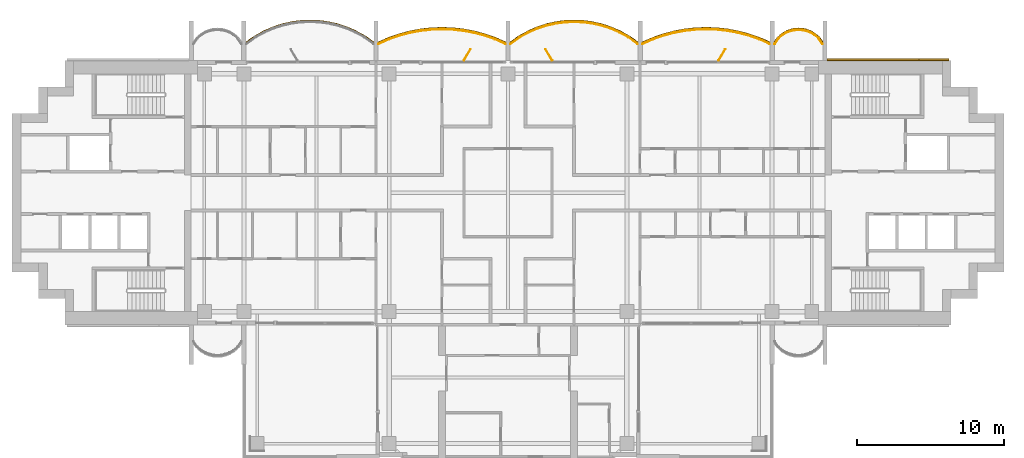
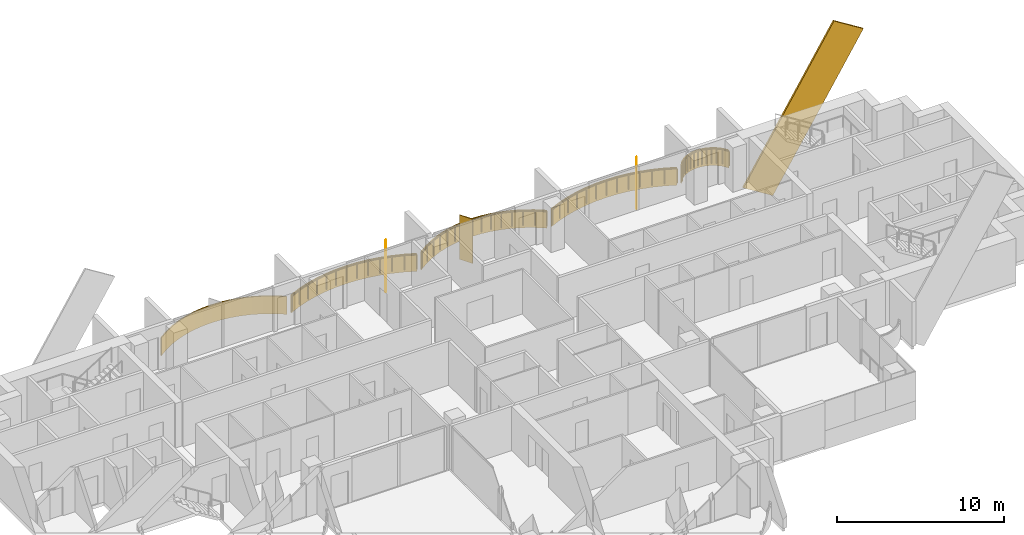
# One storey, part 17 of 17: 6 coverings, 4 railings, 3 shading devices.
"""IFC4 building model written with IfcOpenShell, lengths in metres."""

from ifc_helpers import new_model, si_unit, direction, frame, origin, origin_2d, place, context, subcontext, project, spatial, polyline, rectangle, outline, extrude, material, layer, layer_set, material_profile, profile_set, type_object, element, save


model = new_model("IFC4")

# Units and contexts
model_context = context("Model", 3, precision=1e-05, world=origin(), true_north=direction((0.0, 1.0)))
body_context = subcontext(model_context, "Body", "Model", "MODEL_VIEW")
ifc_project = project(units=[si_unit("LENGTHUNIT", "METRE"), si_unit("AREAUNIT", "SQUARE_METRE"), si_unit("VOLUMEUNIT", "CUBIC_METRE"), si_unit("PLANEANGLEUNIT", "RADIAN"), si_unit("MASSUNIT", "GRAM", prefix="KILO")], contexts=[model_context])

# Site, building, storey
site_placement = place(None, origin())
site = spatial("IfcSite", under=ifc_project, at=site_placement, CompositionType="ELEMENT")
building_placement = place(site_placement, origin())
building = spatial("IfcBuilding", under=site, at=building_placement, Name="Perihelion Cross Residences", CompositionType="ELEMENT")
storey_placement = place(building_placement, frame((0.0, 0.0, 187.60009765625)))
storey = spatial("IfcBuildingStorey", under=building, at=storey_placement, Name="L46", CompositionType="ELEMENT", Elevation=187.60009765625)

# Coverings
ifc_material_1 = material(Name="Bronze anodised aluminium", Category="aluminium")
ifc_layer_1 = layer(ifc_material_1, 0.070068359375)
ifc_layer_set_1 = layer_set([ifc_layer_1], Name="Balcony fascia 1300")
covering_type_1 = type_object("IfcCoveringType", Name="Balcony fascia 1300", PredefinedType="CLADDING", material=ifc_layer_set_1)
covering_1_placement = place(storey_placement, frame((0.0, 0.0, -0.2001953125)))
element("IfcCovering", 1, at=covering_1_placement, inside=storey, type_object=covering_type_1, Name="Fascia BF1 L46 east side north bay 1", PredefinedType="CLADDING", context=body_context, shape_type="SweptSolid", body=[
    extrude(outline(polyline([(21.226318359375, 10.616455078125), (20.94091796875, 10.86328125), (20.655517578125, 11.031494140625), (20.370361328125, 11.142578125), (20.085205078125, 11.206298828125), (19.800048828125, 11.22705078125), (19.514892578125, 11.206298828125), (19.229736328125, 11.142578125), (18.9443359375, 11.031494140625), (18.6591796875, 10.86328125), (18.373779296875, 10.616455078125), (18.14990234375, 10.31689453125), (18.14990234375, 10.199951171875), (18.425048828125, 10.568603515625), (18.699951171875, 10.806396484375), (18.97509765625, 10.96875), (19.25, 11.07568359375), (19.52490234375, 11.136962890625), (19.800048828125, 11.156982421875), (20.074951171875, 11.136962890625), (20.35009765625, 11.07568359375), (20.625, 10.96875), (20.89990234375, 10.806396484375), (21.175048828125, 10.568603515625), (21.449951171875, 10.199951171875), (21.449951171875, 10.31689453125), (21.226318359375, 10.616455078125)])), origin(), (0.0, 0.0, 1.0), 1.300048828125),
])
covering_2_placement = place(storey_placement, frame((0.0, 0.0, -0.2001953125)))
element("IfcCovering", 2, at=covering_2_placement, inside=storey, type_object=covering_type_1, Name="Fascia BF1 L46 east side north bay 2", PredefinedType="CLADDING", context=body_context, shape_type="SweptSolid", body=[
    extrude(outline(polyline([(17.150634765625, 10.582275390625), (16.42041015625, 10.83544921875), (15.690185546875, 11.028076171875), (14.960205078125, 11.1630859375), (14.22998046875, 11.243408203125), (13.5, 11.27001953125), (12.77001953125, 11.243408203125), (12.039794921875, 11.1630859375), (11.309814453125, 11.028076171875), (10.57958984375, 10.83544921875), (9.849365234375, 10.582275390625), (9.14990234375, 10.2763671875), (9.14990234375, 10.199951171875), (9.875, 10.51708984375), (10.60009765625, 10.7685546875), (11.324951171875, 10.959716796875), (12.050048828125, 11.093994140625), (12.77490234375, 11.173583984375), (13.5, 11.199951171875), (14.22509765625, 11.173583984375), (14.949951171875, 11.093994140625), (15.675048828125, 10.959716796875), (16.39990234375, 10.7685546875), (17.125, 10.51708984375), (17.85009765625, 10.199951171875), (17.85009765625, 10.2763671875), (17.150634765625, 10.582275390625)])), origin(), (0.0, 0.0, 1.0), 1.300048828125),
])
covering_3_placement = place(storey_placement, frame((0.0, 0.0, -0.2001953125)))
element("IfcCovering", 3, at=covering_3_placement, inside=storey, type_object=covering_type_1, Name="Fascia BF1 L46 north side east bay 1", PredefinedType="CLADDING", context=body_context, shape_type="SweptSolid", body=[
    extrude(outline(polyline([(8.265625, 10.694091796875), (7.637939453125, 11.0419921875), (7.010498046875, 11.313232421875), (6.3828125, 11.516845703125), (5.755126953125, 11.65869140625), (5.127685546875, 11.742431640625), (4.5, 11.77001953125), (3.872314453125, 11.742431640625), (3.244873046875, 11.65869140625), (2.6171875, 11.516845703125), (1.989501953125, 11.313232421875), (1.362060546875, 11.0419921875), (0.734375, 10.694091796875), (0.14990234375, 10.285400390625), (0.14990234375, 10.199951171875), (0.771484375, 10.634765625), (1.392822265625, 10.979248046875), (2.014404296875, 11.247802734375), (2.6357421875, 11.44921875), (3.257080078125, 11.589599609375), (3.878662109375, 11.672607421875), (4.5, 11.699951171875), (5.121337890625, 11.672607421875), (5.742919921875, 11.589599609375), (6.3642578125, 11.44921875), (6.985595703125, 11.247802734375), (7.607177734375, 10.979248046875), (8.228515625, 10.634765625), (8.85009765625, 10.199951171875), (8.85009765625, 10.285400390625), (8.265625, 10.694091796875)])), origin(), (0.0, 0.0, 1.0), 1.300048828125),
])
covering_4_placement = place(storey_placement, frame((0.0, 0.0, -0.2001953125)))
element("IfcCovering", 4, at=covering_4_placement, inside=storey, type_object=covering_type_1, Name="Fascia BF1 L46 north side east bay 2", PredefinedType="CLADDING", context=body_context, shape_type="SweptSolid", body=[
    extrude(outline(polyline([(-0.849365234375, 10.582275390625), (-1.57958984375, 10.83544921875), (-2.309814453125, 11.028076171875), (-3.039794921875, 11.1630859375), (-3.77001953125, 11.243408203125), (-4.5, 11.27001953125), (-5.22998046875, 11.243408203125), (-5.960205078125, 11.1630859375), (-6.690185546875, 11.028076171875), (-7.42041015625, 10.83544921875), (-8.150634765625, 10.582275390625), (-8.85009765625, 10.2763671875), (-8.85009765625, 10.199951171875), (-8.125, 10.51708984375), (-7.39990234375, 10.7685546875), (-6.675048828125, 10.959716796875), (-5.949951171875, 11.093994140625), (-5.22509765625, 11.173583984375), (-4.5, 11.199951171875), (-3.77490234375, 11.173583984375), (-3.050048828125, 11.093994140625), (-2.324951171875, 10.959716796875), (-1.60009765625, 10.7685546875), (-0.875, 10.51708984375), (-0.14990234375, 10.199951171875), (-0.14990234375, 10.2763671875), (-0.849365234375, 10.582275390625)])), origin(), (0.0, 0.0, 1.0), 1.300048828125),
])
covering_5_placement = place(storey_placement, frame((0.0, 0.0, -0.2001953125)))
element("IfcCovering", 5, at=covering_5_placement, inside=storey, type_object=covering_type_1, Name="Fascia BF1 L46 west side north bay 1", PredefinedType="CLADDING", context=body_context, shape_type="SweptSolid", body=[
    extrude(outline(polyline([(-9.734375, 10.694091796875), (-10.362060546875, 11.0419921875), (-10.989501953125, 11.313232421875), (-11.6171875, 11.516845703125), (-12.244873046875, 11.65869140625), (-12.872314453125, 11.742431640625), (-13.5, 11.77001953125), (-14.127685546875, 11.742431640625), (-14.755126953125, 11.65869140625), (-15.3828125, 11.516845703125), (-16.010498046875, 11.313232421875), (-16.637939453125, 11.0419921875), (-17.265625, 10.694091796875), (-17.85009765625, 10.285400390625), (-17.85009765625, 10.199951171875), (-17.228515625, 10.634765625), (-16.607177734375, 10.979248046875), (-15.985595703125, 11.247802734375), (-15.3642578125, 11.44921875), (-14.742919921875, 11.589599609375), (-14.121337890625, 11.672607421875), (-13.5, 11.699951171875), (-12.878662109375, 11.672607421875), (-12.257080078125, 11.589599609375), (-11.6357421875, 11.44921875), (-11.014404296875, 11.247802734375), (-10.392822265625, 10.979248046875), (-9.771484375, 10.634765625), (-9.14990234375, 10.199951171875), (-9.14990234375, 10.285400390625), (-9.734375, 10.694091796875)])), origin(), (0.0, 0.0, 1.0), 1.300048828125),
])

# Railings
ifc_material_2 = material(Name="Bronze anodised aluminium", Category="aluminium")
railing_type = type_object("IfcRailingType", Name="Balcony guard 1100", PredefinedType="GUARDRAIL", material=ifc_material_2)
railing_1_placement = place(storey_placement, frame((21.425048828125, 10.139892578125, 0.0)))
element("IfcRailing", 6, at=railing_1_placement, inside=storey, type_object=railing_type, Name="Guard GU1 L46 east side north bay 1 balcony", PredefinedType="GUARDRAIL", context=body_context, shape_type="SweptSolid", body=[
    extrude(rectangle(XDim=0.048095703125, YDim=0.048095703125, at=origin_2d()), frame((0.0, 0.0, 1.076171875), z_axis=(-0.561260132269, 0.827639452857, 0.0), x_axis=(-0.827639452857, -0.561260132269, 0.0)), (0.0, 0.0, 1.0), 0.4453125),
    extrude(rectangle(XDim=0.048095703125, YDim=0.048095703125, at=origin_2d()), frame((-0.25, 0.36865234375, 1.076171875), z_axis=(-0.756596535164, 0.653882009982, 0.0), x_axis=(-0.653882009982, -0.756596535164, 0.0)), (0.0, 0.0, 1.0), 0.36376953125),
    extrude(rectangle(XDim=0.048095703125, YDim=0.048095703125, at=origin_2d()), frame((-0.525146484375, 0.6064453125, 1.076171875), z_axis=(-0.861048292884, 0.508523192511, 0.0), x_axis=(-0.508523192511, -0.861048292884, 0.0)), (0.0, 0.0, 1.0), 0.3193359375),
    extrude(rectangle(XDim=0.048095703125, YDim=0.048095703125, at=origin_2d()), frame((-0.800048828125, 0.768798828125, 1.076171875), z_axis=(-0.931973602183, 0.362526143656, 0.0), x_axis=(-0.362526143656, -0.931973602183, 0.0)), (0.0, 0.0, 1.0), 0.294921875),
    extrude(rectangle(XDim=0.048095703125, YDim=0.048095703125, at=origin_2d()), frame((-1.074951171875, 0.875732421875, 1.076171875), z_axis=(-0.976085059389, 0.21738895289, 0.0), x_axis=(-0.21738895289, -0.976085059389, 0.0)), (0.0, 0.0, 1.0), 0.281982421875),
    extrude(rectangle(XDim=0.048095703125, YDim=0.048095703125, at=origin_2d()), frame((-1.35009765625, 0.93701171875, 1.076171875), z_axis=(-0.997358821833, 0.072631814734, 0.0), x_axis=(-0.072631814734, -0.997358821833, 0.0)), (0.0, 0.0, 1.0), 0.275634765625),
    extrude(rectangle(XDim=0.048095703125, YDim=0.048095703125, at=origin_2d()), frame((-1.625, 0.95703125, 1.076171875), z_axis=(-0.997363488337, -0.072567707226, 0.0), x_axis=(0.072567707226, -0.997363488337, 0.0)), (0.0, 0.0, 1.0), 0.27587890625),
    extrude(rectangle(XDim=0.048095703125, YDim=0.048095703125, at=origin_2d()), frame((-1.900146484375, 0.93701171875, 1.076171875), z_axis=(-0.976044077717, -0.217572880557, 0.0), x_axis=(0.217572880557, -0.976044077717, 0.0)), (0.0, 0.0, 1.0), 0.28173828125),
    extrude(rectangle(XDim=0.048095703125, YDim=0.048095703125, at=origin_2d()), frame((-2.175048828125, 0.875732421875, 1.076171875), z_axis=(-0.931973602183, -0.362526143656, 0.0), x_axis=(0.362526143656, -0.931973602183, 0.0)), (0.0, 0.0, 1.0), 0.294921875),
    extrude(rectangle(XDim=0.048095703125, YDim=0.048095703125, at=origin_2d()), frame((-2.449951171875, 0.768798828125, 1.076171875), z_axis=(-0.861245845072, -0.508188542123, 0.0), x_axis=(0.508188542123, -0.861245845072, 0.0)), (0.0, 0.0, 1.0), 0.319580078125),
    extrude(rectangle(XDim=0.048095703125, YDim=0.048095703125, at=origin_2d()), frame((-2.72509765625, 0.6064453125, 1.076171875), z_axis=(-0.756309278473, -0.654214242658, 0.0), x_axis=(0.654214242658, -0.756309278473, 0.0)), (0.0, 0.0, 1.0), 0.363525390625),
    extrude(rectangle(XDim=0.048095703125, YDim=0.048095703125, at=origin_2d()), frame((-3.0, 0.36865234375, 1.076171875), z_axis=(-0.561260132269, -0.827639452857, 0.0), x_axis=(0.827639452857, -0.561260132269, 0.0)), (0.0, 0.0, 1.0), 0.4453125),
    extrude(rectangle(XDim=0.0419921875, YDim=0.0419921875, at=origin_2d()), origin(), (0.0, 0.0, 1.0), 1.052001953125),
    extrude(rectangle(XDim=0.0419921875, YDim=0.0419921875, at=origin_2d()), frame((-0.25, 0.36865234375, 0.0)), (0.0, 0.0, 1.0), 1.052001953125),
    extrude(rectangle(XDim=0.0419921875, YDim=0.0419921875, at=origin_2d()), frame((-0.525146484375, 0.6064453125, 0.0)), (0.0, 0.0, 1.0), 1.052001953125),
    extrude(rectangle(XDim=0.0419921875, YDim=0.0419921875, at=origin_2d()), frame((-0.800048828125, 0.768798828125, 0.0)), (0.0, 0.0, 1.0), 1.052001953125),
    extrude(rectangle(XDim=0.0419921875, YDim=0.0419921875, at=origin_2d()), frame((-1.074951171875, 0.875732421875, 0.0)), (0.0, 0.0, 1.0), 1.052001953125),
    extrude(rectangle(XDim=0.0419921875, YDim=0.0419921875, at=origin_2d()), frame((-1.35009765625, 0.93701171875, 0.0)), (0.0, 0.0, 1.0), 1.052001953125),
    extrude(rectangle(XDim=0.0419921875, YDim=0.0419921875, at=origin_2d()), frame((-1.625, 0.95703125, 0.0)), (0.0, 0.0, 1.0), 1.052001953125),
    extrude(rectangle(XDim=0.0419921875, YDim=0.0419921875, at=origin_2d()), frame((-1.900146484375, 0.93701171875, 0.0)), (0.0, 0.0, 1.0), 1.052001953125),
    extrude(rectangle(XDim=0.0419921875, YDim=0.0419921875, at=origin_2d()), frame((-2.175048828125, 0.875732421875, 0.0)), (0.0, 0.0, 1.0), 1.052001953125),
    extrude(rectangle(XDim=0.0419921875, YDim=0.0419921875, at=origin_2d()), frame((-2.449951171875, 0.768798828125, 0.0)), (0.0, 0.0, 1.0), 1.052001953125),
    extrude(rectangle(XDim=0.0419921875, YDim=0.0419921875, at=origin_2d()), frame((-2.72509765625, 0.6064453125, 0.0)), (0.0, 0.0, 1.0), 1.052001953125),
    extrude(rectangle(XDim=0.0419921875, YDim=0.0419921875, at=origin_2d()), frame((-3.0, 0.36865234375, 0.0)), (0.0, 0.0, 1.0), 1.052001953125),
    extrude(rectangle(XDim=0.0419921875, YDim=0.0419921875, at=origin_2d()), frame((-3.25, 0.0, 0.0)), (0.0, 0.0, 1.0), 1.052001953125),
])
railing_2_placement = place(storey_placement, frame((17.824951171875, 10.139892578125, 0.0)))
element("IfcRailing", 7, at=railing_2_placement, inside=storey, type_object=railing_type, Name="Guard GU1 L46 east side north bay 2 balcony", PredefinedType="GUARDRAIL", context=body_context, shape_type="SweptSolid", body=[
    extrude(rectangle(XDim=0.048095703125, YDim=0.048095703125, at=origin_2d()), frame((0.0, 0.0, 1.076171875), z_axis=(-0.910866309087, 0.412701547089, 0.0), x_axis=(-0.412701547089, -0.910866309087, 0.0)), (0.0, 0.0, 1.0), 0.7685546875),
    extrude(rectangle(XDim=0.048095703125, YDim=0.048095703125, at=origin_2d()), frame((-0.699951171875, 0.317138671875, 1.076171875), z_axis=(-0.944796812452, 0.327656807012, 0.0), x_axis=(-0.327656807012, -0.944796812452, 0.0)), (0.0, 0.0, 1.0), 0.767578125),
    extrude(rectangle(XDim=0.048095703125, YDim=0.048095703125, at=origin_2d()), frame((-1.425048828125, 0.568603515625, 1.076171875), z_axis=(-0.966939404945, 0.255006249266, 0.0), x_axis=(-0.255006249266, -0.966939404945, 0.0)), (0.0, 0.0, 1.0), 0.749755859375),
    extrude(rectangle(XDim=0.048095703125, YDim=0.048095703125, at=origin_2d()), frame((-2.14990234375, 0.759765625, 1.076171875), z_axis=(-0.983282004984, 0.182089260182, 0.0), x_axis=(-0.182089260182, -0.983282004984, 0.0)), (0.0, 0.0, 1.0), 0.7373046875),
    extrude(rectangle(XDim=0.048095703125, YDim=0.048095703125, at=origin_2d()), frame((-2.875, 0.89404296875, 1.076171875), z_axis=(-0.994025805622, 0.109145305703, 0.0), x_axis=(-0.109145305703, -0.994025805622, 0.0)), (0.0, 0.0, 1.0), 0.729248046875),
    extrude(rectangle(XDim=0.048095703125, YDim=0.048095703125, at=origin_2d()), frame((-3.599853515625, 0.9736328125, 1.076171875), z_axis=(-0.999339497946, 0.036339618107, 0.0), x_axis=(-0.036339618107, -0.999339497946, 0.0)), (0.0, 0.0, 1.0), 0.7255859375),
    extrude(rectangle(XDim=0.048095703125, YDim=0.048095703125, at=origin_2d()), frame((-4.324951171875, 1.0, 1.076171875), z_axis=(-0.999339497946, -0.036339618107, 0.0), x_axis=(0.036339618107, -0.999339497946, 0.0)), (0.0, 0.0, 1.0), 0.7255859375),
    extrude(rectangle(XDim=0.048095703125, YDim=0.048095703125, at=origin_2d()), frame((-5.050048828125, 0.9736328125, 1.076171875), z_axis=(-0.994025805622, -0.109145305703, 0.0), x_axis=(0.109145305703, -0.994025805622, 0.0)), (0.0, 0.0, 1.0), 0.729248046875),
    extrude(rectangle(XDim=0.048095703125, YDim=0.048095703125, at=origin_2d()), frame((-5.77490234375, 0.89404296875, 1.076171875), z_axis=(-0.983282004984, -0.182089260182, 0.0), x_axis=(0.182089260182, -0.983282004984, 0.0)), (0.0, 0.0, 1.0), 0.7373046875),
    extrude(rectangle(XDim=0.048095703125, YDim=0.048095703125, at=origin_2d()), frame((-6.5, 0.759765625, 1.076171875), z_axis=(-0.966939404945, -0.255006249266, 0.0), x_axis=(0.255006249266, -0.966939404945, 0.0)), (0.0, 0.0, 1.0), 0.749755859375),
    extrude(rectangle(XDim=0.048095703125, YDim=0.048095703125, at=origin_2d()), frame((-7.224853515625, 0.568603515625, 1.076171875), z_axis=(-0.944796812452, -0.327656807012, 0.0), x_axis=(0.327656807012, -0.944796812452, 0.0)), (0.0, 0.0, 1.0), 0.767578125),
    extrude(rectangle(XDim=0.048095703125, YDim=0.048095703125, at=origin_2d()), frame((-7.949951171875, 0.317138671875, 1.076171875), z_axis=(-0.910866309087, -0.412701547089, 0.0), x_axis=(0.412701547089, -0.910866309087, 0.0)), (0.0, 0.0, 1.0), 0.7685546875),
    extrude(rectangle(XDim=0.0419921875, YDim=0.0419921875, at=origin_2d()), origin(), (0.0, 0.0, 1.0), 1.052001953125),
    extrude(rectangle(XDim=0.0419921875, YDim=0.0419921875, at=origin_2d()), frame((-0.699951171875, 0.317138671875, 0.0)), (0.0, 0.0, 1.0), 1.052001953125),
    extrude(rectangle(XDim=0.0419921875, YDim=0.0419921875, at=origin_2d()), frame((-1.425048828125, 0.568603515625, 0.0)), (0.0, 0.0, 1.0), 1.052001953125),
    extrude(rectangle(XDim=0.0419921875, YDim=0.0419921875, at=origin_2d()), frame((-2.14990234375, 0.759765625, 0.0)), (0.0, 0.0, 1.0), 1.052001953125),
    extrude(rectangle(XDim=0.0419921875, YDim=0.0419921875, at=origin_2d()), frame((-2.875, 0.89404296875, 0.0)), (0.0, 0.0, 1.0), 1.052001953125),
    extrude(rectangle(XDim=0.0419921875, YDim=0.0419921875, at=origin_2d()), frame((-3.599853515625, 0.9736328125, 0.0)), (0.0, 0.0, 1.0), 1.052001953125),
    extrude(rectangle(XDim=0.0419921875, YDim=0.0419921875, at=origin_2d()), frame((-4.324951171875, 1.0, 0.0)), (0.0, 0.0, 1.0), 1.052001953125),
    extrude(rectangle(XDim=0.0419921875, YDim=0.0419921875, at=origin_2d()), frame((-5.050048828125, 0.9736328125, 0.0)), (0.0, 0.0, 1.0), 1.052001953125),
    extrude(rectangle(XDim=0.0419921875, YDim=0.0419921875, at=origin_2d()), frame((-5.77490234375, 0.89404296875, 0.0)), (0.0, 0.0, 1.0), 1.052001953125),
    extrude(rectangle(XDim=0.0419921875, YDim=0.0419921875, at=origin_2d()), frame((-6.5, 0.759765625, 0.0)), (0.0, 0.0, 1.0), 1.052001953125),
    extrude(rectangle(XDim=0.0419921875, YDim=0.0419921875, at=origin_2d()), frame((-7.224853515625, 0.568603515625, 0.0)), (0.0, 0.0, 1.0), 1.052001953125),
    extrude(rectangle(XDim=0.0419921875, YDim=0.0419921875, at=origin_2d()), frame((-7.949951171875, 0.317138671875, 0.0)), (0.0, 0.0, 1.0), 1.052001953125),
    extrude(rectangle(XDim=0.0419921875, YDim=0.0419921875, at=origin_2d()), frame((-8.64990234375, 0.0, 0.0)), (0.0, 0.0, 1.0), 1.052001953125),
])
railing_3_placement = place(storey_placement, frame((8.824951171875, 10.139892578125, 0.0)))
element("IfcRailing", 8, at=railing_3_placement, inside=storey, type_object=railing_type, Name="Guard GU1 L46 north side east bay 1 balcony", PredefinedType="GUARDRAIL", context=body_context, shape_type="SweptSolid", body=[
    extrude(rectangle(XDim=0.048095703125, YDim=0.048095703125, at=origin_2d()), frame((0.0, 0.0, 1.076171875), z_axis=(-0.808063294873, 0.589095672603, 0.0), x_axis=(-0.589095672603, -0.808063294873, 0.0)), (0.0, 0.0, 1.0), 0.738037109375),
    extrude(rectangle(XDim=0.048095703125, YDim=0.048095703125, at=origin_2d()), frame((-0.596435546875, 0.434814453125, 1.076171875), z_axis=(-0.874578399268, 0.484884134133, 0.0), x_axis=(-0.484884134133, -0.874578399268, 0.0)), (0.0, 0.0, 1.0), 0.71044921875),
    extrude(rectangle(XDim=0.048095703125, YDim=0.048095703125, at=origin_2d()), frame((-1.2177734375, 0.779296875, 1.076171875), z_axis=(-0.917984792895, 0.396615582162, 0.0), x_axis=(-0.396615582162, -0.917984792895, 0.0)), (0.0, 0.0, 1.0), 0.677001953125),
    extrude(rectangle(XDim=0.048095703125, YDim=0.048095703125, at=origin_2d()), frame((-1.83935546875, 1.0478515625, 1.076171875), z_axis=(-0.951157585372, 0.308705762482, 0.0), x_axis=(-0.308705762482, -0.951157585372, 0.0)), (0.0, 0.0, 1.0), 0.6533203125),
    extrude(rectangle(XDim=0.048095703125, YDim=0.048095703125, at=origin_2d()), frame((-2.460693359375, 1.24951171875, 1.076171875), z_axis=(-0.975414431917, 0.220378506229, 0.0), x_axis=(-0.220378506229, -0.975414431917, 0.0)), (0.0, 0.0, 1.0), 0.636962890625),
    extrude(rectangle(XDim=0.048095703125, YDim=0.048095703125, at=origin_2d()), frame((-3.08203125, 1.389892578125, 1.076171875), z_axis=(-0.991251686862, 0.131985201039, 0.0), x_axis=(-0.131985201039, -0.991251686862, 0.0)), (0.0, 0.0, 1.0), 0.626953125),
    extrude(rectangle(XDim=0.048095703125, YDim=0.048095703125, at=origin_2d()), frame((-3.70361328125, 1.47265625, 1.076171875), z_axis=(-0.999033058467, 0.04396530552, 0.0), x_axis=(-0.04396530552, -0.999033058467, 0.0)), (0.0, 0.0, 1.0), 0.621826171875),
    extrude(rectangle(XDim=0.048095703125, YDim=0.048095703125, at=origin_2d()), frame((-4.324951171875, 1.5, 1.076171875), z_axis=(-0.999033058467, -0.04396530552, 0.0), x_axis=(0.04396530552, -0.999033058467, 0.0)), (0.0, 0.0, 1.0), 0.621826171875),
    extrude(rectangle(XDim=0.048095703125, YDim=0.048095703125, at=origin_2d()), frame((-4.9462890625, 1.47265625, 1.076171875), z_axis=(-0.991251686862, -0.131985201039, 0.0), x_axis=(0.131985201039, -0.991251686862, 0.0)), (0.0, 0.0, 1.0), 0.626953125),
    extrude(rectangle(XDim=0.048095703125, YDim=0.048095703125, at=origin_2d()), frame((-5.56787109375, 1.389892578125, 1.076171875), z_axis=(-0.975414431917, -0.220378506229, 0.0), x_axis=(0.220378506229, -0.975414431917, 0.0)), (0.0, 0.0, 1.0), 0.636962890625),
    extrude(rectangle(XDim=0.048095703125, YDim=0.048095703125, at=origin_2d()), frame((-6.189208984375, 1.24951171875, 1.076171875), z_axis=(-0.951157585372, -0.308705762482, 0.0), x_axis=(0.308705762482, -0.951157585372, 0.0)), (0.0, 0.0, 1.0), 0.6533203125),
    extrude(rectangle(XDim=0.048095703125, YDim=0.048095703125, at=origin_2d()), frame((-6.810546875, 1.0478515625, 1.076171875), z_axis=(-0.917984792895, -0.396615582162, 0.0), x_axis=(0.396615582162, -0.917984792895, 0.0)), (0.0, 0.0, 1.0), 0.677001953125),
    extrude(rectangle(XDim=0.048095703125, YDim=0.048095703125, at=origin_2d()), frame((-7.43212890625, 0.779296875, 1.076171875), z_axis=(-0.874578399268, -0.484884134133, 0.0), x_axis=(0.484884134133, -0.874578399268, 0.0)), (0.0, 0.0, 1.0), 0.71044921875),
    extrude(rectangle(XDim=0.048095703125, YDim=0.048095703125, at=origin_2d()), frame((-8.053466796875, 0.434814453125, 1.076171875), z_axis=(-0.808063294873, -0.589095672603, 0.0), x_axis=(0.589095672603, -0.808063294873, 0.0)), (0.0, 0.0, 1.0), 0.738037109375),
    extrude(rectangle(XDim=0.0419921875, YDim=0.0419921875, at=origin_2d()), origin(), (0.0, 0.0, 1.0), 1.052001953125),
    extrude(rectangle(XDim=0.0419921875, YDim=0.0419921875, at=origin_2d()), frame((-0.596435546875, 0.434814453125, 0.0)), (0.0, 0.0, 1.0), 1.052001953125),
    extrude(rectangle(XDim=0.0419921875, YDim=0.0419921875, at=origin_2d()), frame((-1.2177734375, 0.779296875, 0.0)), (0.0, 0.0, 1.0), 1.052001953125),
    extrude(rectangle(XDim=0.0419921875, YDim=0.0419921875, at=origin_2d()), frame((-1.83935546875, 1.0478515625, 0.0)), (0.0, 0.0, 1.0), 1.052001953125),
    extrude(rectangle(XDim=0.0419921875, YDim=0.0419921875, at=origin_2d()), frame((-2.460693359375, 1.24951171875, 0.0)), (0.0, 0.0, 1.0), 1.052001953125),
    extrude(rectangle(XDim=0.0419921875, YDim=0.0419921875, at=origin_2d()), frame((-3.08203125, 1.389892578125, 0.0)), (0.0, 0.0, 1.0), 1.052001953125),
    extrude(rectangle(XDim=0.0419921875, YDim=0.0419921875, at=origin_2d()), frame((-3.70361328125, 1.47265625, 0.0)), (0.0, 0.0, 1.0), 1.052001953125),
    extrude(rectangle(XDim=0.0419921875, YDim=0.0419921875, at=origin_2d()), frame((-4.324951171875, 1.5, 0.0)), (0.0, 0.0, 1.0), 1.052001953125),
    extrude(rectangle(XDim=0.0419921875, YDim=0.0419921875, at=origin_2d()), frame((-4.9462890625, 1.47265625, 0.0)), (0.0, 0.0, 1.0), 1.052001953125),
    extrude(rectangle(XDim=0.0419921875, YDim=0.0419921875, at=origin_2d()), frame((-5.56787109375, 1.389892578125, 0.0)), (0.0, 0.0, 1.0), 1.052001953125),
    extrude(rectangle(XDim=0.0419921875, YDim=0.0419921875, at=origin_2d()), frame((-6.189208984375, 1.24951171875, 0.0)), (0.0, 0.0, 1.0), 1.052001953125),
    extrude(rectangle(XDim=0.0419921875, YDim=0.0419921875, at=origin_2d()), frame((-6.810546875, 1.0478515625, 0.0)), (0.0, 0.0, 1.0), 1.052001953125),
    extrude(rectangle(XDim=0.0419921875, YDim=0.0419921875, at=origin_2d()), frame((-7.43212890625, 0.779296875, 0.0)), (0.0, 0.0, 1.0), 1.052001953125),
    extrude(rectangle(XDim=0.0419921875, YDim=0.0419921875, at=origin_2d()), frame((-8.053466796875, 0.434814453125, 0.0)), (0.0, 0.0, 1.0), 1.052001953125),
    extrude(rectangle(XDim=0.0419921875, YDim=0.0419921875, at=origin_2d()), frame((-8.64990234375, 0.0, 0.0)), (0.0, 0.0, 1.0), 1.052001953125),
])
railing_4_placement = place(storey_placement, frame((-0.175048828125, 10.139892578125, 0.0)))
element("IfcRailing", 9, at=railing_4_placement, inside=storey, type_object=railing_type, Name="Guard GU1 L46 north side east bay 2 balcony", PredefinedType="GUARDRAIL", context=body_context, shape_type="SweptSolid", body=[
    extrude(rectangle(XDim=0.048095703125, YDim=0.048095703125, at=origin_2d()), frame((0.0, 0.0, 1.076171875), z_axis=(-0.910866309087, 0.412701547089, 0.0), x_axis=(-0.412701547089, -0.910866309087, 0.0)), (0.0, 0.0, 1.0), 0.7685546875),
    extrude(rectangle(XDim=0.048095703125, YDim=0.048095703125, at=origin_2d()), frame((-0.699951171875, 0.317138671875, 1.076171875), z_axis=(-0.944796812452, 0.327656807012, 0.0), x_axis=(-0.327656807012, -0.944796812452, 0.0)), (0.0, 0.0, 1.0), 0.767578125),
    extrude(rectangle(XDim=0.048095703125, YDim=0.048095703125, at=origin_2d()), frame((-1.425048828125, 0.568603515625, 1.076171875), z_axis=(-0.966939404945, 0.255006249266, 0.0), x_axis=(-0.255006249266, -0.966939404945, 0.0)), (0.0, 0.0, 1.0), 0.749755859375),
    extrude(rectangle(XDim=0.048095703125, YDim=0.048095703125, at=origin_2d()), frame((-2.14990234375, 0.759765625, 1.076171875), z_axis=(-0.983282004984, 0.182089260182, 0.0), x_axis=(-0.182089260182, -0.983282004984, 0.0)), (0.0, 0.0, 1.0), 0.7373046875),
    extrude(rectangle(XDim=0.048095703125, YDim=0.048095703125, at=origin_2d()), frame((-2.875, 0.89404296875, 1.076171875), z_axis=(-0.994025805622, 0.109145305703, 0.0), x_axis=(-0.109145305703, -0.994025805622, 0.0)), (0.0, 0.0, 1.0), 0.729248046875),
    extrude(rectangle(XDim=0.048095703125, YDim=0.048095703125, at=origin_2d()), frame((-3.599853515625, 0.9736328125, 1.076171875), z_axis=(-0.999339497946, 0.036339618107, 0.0), x_axis=(-0.036339618107, -0.999339497946, 0.0)), (0.0, 0.0, 1.0), 0.7255859375),
    extrude(rectangle(XDim=0.048095703125, YDim=0.048095703125, at=origin_2d()), frame((-4.324951171875, 1.0, 1.076171875), z_axis=(-0.999339497946, -0.036339618107, 0.0), x_axis=(0.036339618107, -0.999339497946, 0.0)), (0.0, 0.0, 1.0), 0.7255859375),
    extrude(rectangle(XDim=0.048095703125, YDim=0.048095703125, at=origin_2d()), frame((-5.050048828125, 0.9736328125, 1.076171875), z_axis=(-0.994025805622, -0.109145305703, 0.0), x_axis=(0.109145305703, -0.994025805622, 0.0)), (0.0, 0.0, 1.0), 0.729248046875),
    extrude(rectangle(XDim=0.048095703125, YDim=0.048095703125, at=origin_2d()), frame((-5.77490234375, 0.89404296875, 1.076171875), z_axis=(-0.983282004984, -0.182089260182, 0.0), x_axis=(0.182089260182, -0.983282004984, 0.0)), (0.0, 0.0, 1.0), 0.7373046875),
    extrude(rectangle(XDim=0.048095703125, YDim=0.048095703125, at=origin_2d()), frame((-6.5, 0.759765625, 1.076171875), z_axis=(-0.966939404945, -0.255006249266, 0.0), x_axis=(0.255006249266, -0.966939404945, 0.0)), (0.0, 0.0, 1.0), 0.749755859375),
    extrude(rectangle(XDim=0.048095703125, YDim=0.048095703125, at=origin_2d()), frame((-7.224853515625, 0.568603515625, 1.076171875), z_axis=(-0.944796812452, -0.327656807012, 0.0), x_axis=(0.327656807012, -0.944796812452, 0.0)), (0.0, 0.0, 1.0), 0.767578125),
    extrude(rectangle(XDim=0.048095703125, YDim=0.048095703125, at=origin_2d()), frame((-7.949951171875, 0.317138671875, 1.076171875), z_axis=(-0.910866309087, -0.412701547089, 0.0), x_axis=(0.412701547089, -0.910866309087, 0.0)), (0.0, 0.0, 1.0), 0.7685546875),
    extrude(rectangle(XDim=0.0419921875, YDim=0.0419921875, at=origin_2d()), origin(), (0.0, 0.0, 1.0), 1.052001953125),
    extrude(rectangle(XDim=0.0419921875, YDim=0.0419921875, at=origin_2d()), frame((-0.699951171875, 0.317138671875, 0.0)), (0.0, 0.0, 1.0), 1.052001953125),
    extrude(rectangle(XDim=0.0419921875, YDim=0.0419921875, at=origin_2d()), frame((-1.425048828125, 0.568603515625, 0.0)), (0.0, 0.0, 1.0), 1.052001953125),
    extrude(rectangle(XDim=0.0419921875, YDim=0.0419921875, at=origin_2d()), frame((-2.14990234375, 0.759765625, 0.0)), (0.0, 0.0, 1.0), 1.052001953125),
    extrude(rectangle(XDim=0.0419921875, YDim=0.0419921875, at=origin_2d()), frame((-2.875, 0.89404296875, 0.0)), (0.0, 0.0, 1.0), 1.052001953125),
    extrude(rectangle(XDim=0.0419921875, YDim=0.0419921875, at=origin_2d()), frame((-3.599853515625, 0.9736328125, 0.0)), (0.0, 0.0, 1.0), 1.052001953125),
    extrude(rectangle(XDim=0.0419921875, YDim=0.0419921875, at=origin_2d()), frame((-4.324951171875, 1.0, 0.0)), (0.0, 0.0, 1.0), 1.052001953125),
    extrude(rectangle(XDim=0.0419921875, YDim=0.0419921875, at=origin_2d()), frame((-5.050048828125, 0.9736328125, 0.0)), (0.0, 0.0, 1.0), 1.052001953125),
    extrude(rectangle(XDim=0.0419921875, YDim=0.0419921875, at=origin_2d()), frame((-5.77490234375, 0.89404296875, 0.0)), (0.0, 0.0, 1.0), 1.052001953125),
    extrude(rectangle(XDim=0.0419921875, YDim=0.0419921875, at=origin_2d()), frame((-6.5, 0.759765625, 0.0)), (0.0, 0.0, 1.0), 1.052001953125),
    extrude(rectangle(XDim=0.0419921875, YDim=0.0419921875, at=origin_2d()), frame((-7.224853515625, 0.568603515625, 0.0)), (0.0, 0.0, 1.0), 1.052001953125),
    extrude(rectangle(XDim=0.0419921875, YDim=0.0419921875, at=origin_2d()), frame((-7.949951171875, 0.317138671875, 0.0)), (0.0, 0.0, 1.0), 1.052001953125),
    extrude(rectangle(XDim=0.0419921875, YDim=0.0419921875, at=origin_2d()), frame((-8.64990234375, 0.0, 0.0)), (0.0, 0.0, 1.0), 1.052001953125),
])

# Covering
ifc_material_3 = material(Name="Bronze anodised aluminium", Category="aluminium")
ifc_material_profile = material_profile(ifc_material_3, rectangle(XDim=0.125, YDim=2.39990234375, at=origin_2d()), Name="Bronze cladding band 2400")
ifc_profile_set = profile_set([ifc_material_profile], Name="Bronze anodised aluminium")
covering_type_2 = type_object("IfcCoveringType", Name="Bronze cladding band 2400", PredefinedType="CLADDING", material=ifc_profile_set)
covering_6_placement = place(storey_placement, frame((22.767578125, 9.0625, -1.679931640625), z_axis=(0.529915403603, 0.0, 0.848050508534), x_axis=(0.0, 1.0, 0.0)))
element("IfcCovering", 10, at=covering_6_placement, inside=storey, type_object=covering_type_2, Name="Core cladding band, east core", PredefinedType="CLADDING", context=body_context, shape_type="SweptSolid", body=[
    extrude(rectangle(XDim=0.125, YDim=2.39990234375, at=origin_2d()), origin(), (0.0, 0.0, 1.0), 11.822021484375),
])

# Shading devices
ifc_material_4 = material(Name="Bronze anodised aluminium", Category="aluminium")
ifc_layer_2 = layer(ifc_material_4, 0.050048828125)
ifc_layer_set_2 = layer_set([ifc_layer_2], Name="Bronze fin 900")
shading_device_type = type_object("IfcShadingDeviceType", Name="Bronze fin 900", PredefinedType="USERDEFINED", material=ifc_layer_set_2)
for number, where, z_axis, x_axis, name in (
    (11, (14.574951171875, 9.3896484375, 0.0), (0.0, 0.0, 1.0), (0.5, 0.866025403784, 0.0), "Fin FN1 L46 east side north bay 2"),
    (12, (2.78759765625, 9.3896484375, 0.0), (0.0, 0.0, 1.0), (-0.5, 0.866025403784, 0.0), "Fin FN1 L46 north side east bay 1"),
    (13, (-2.78759765625, 9.3896484375, 0.0), (0.0, 0.0, 1.0), (0.5, 0.866025403784, 0.0), "Fin FN1 L46 north side east bay 2"),
):
    element("IfcShadingDevice", number, at=place(storey_placement, frame(where, z_axis=z_axis, x_axis=x_axis)), inside=storey, type_object=shading_device_type, Name=name, ObjectType="FIN", PredefinedType="USERDEFINED", context=body_context, shape_type="SweptSolid", body=[
        extrude(rectangle(XDim=0.89990234375, YDim=0.050048828125, at=origin_2d()), origin(), (0.0, 0.0, 1.0), 3.25),
    ])

save(model, "model.ifc")
